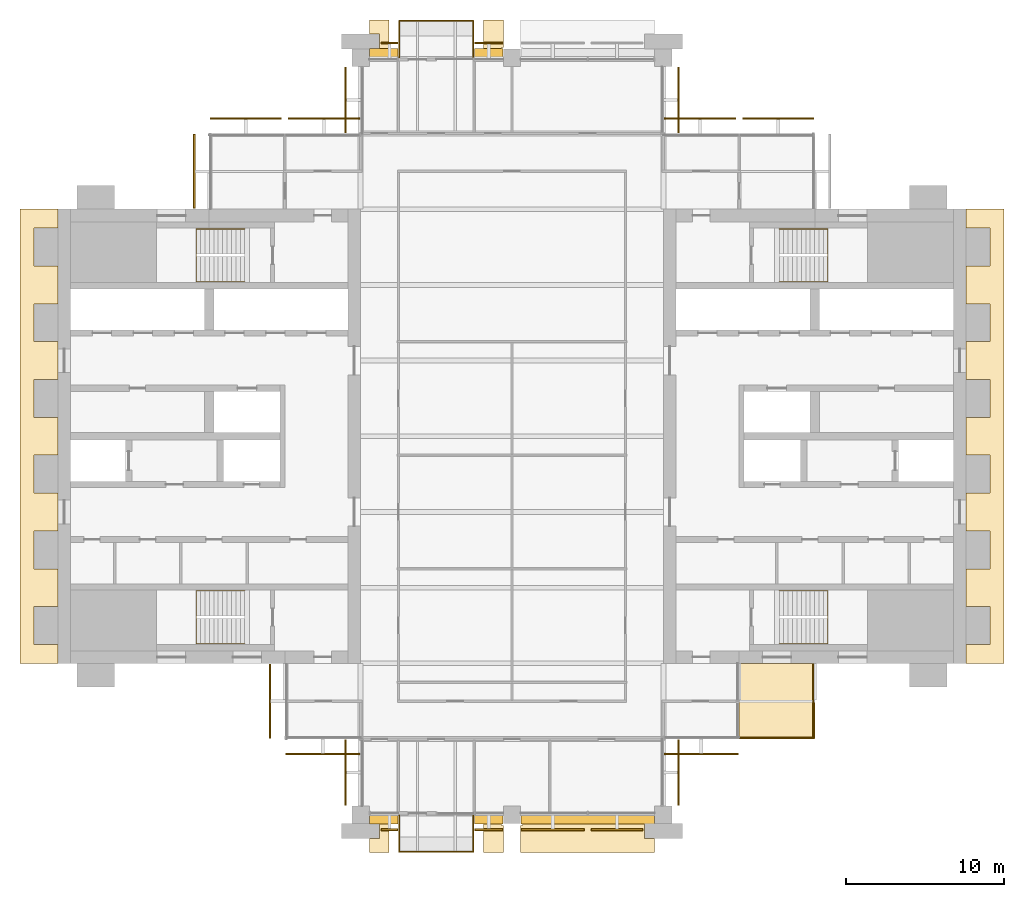
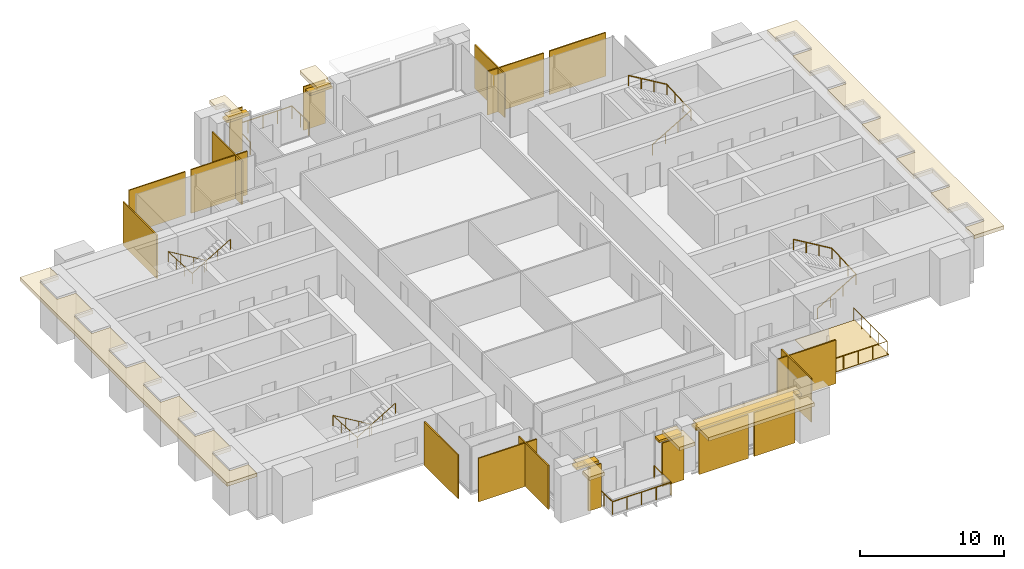
# One storey, part 13 of 14: 26 coverings, 7 railings, 5 shading devices.
"""IFC4 building model written with IfcOpenShell, lengths in metres."""

from ifc_helpers import new_model, si_unit, direction, frame, origin, origin_2d, place, context, subcontext, project, spatial, polyline, rectangle, circle, outline, extrude, material, layer, layer_set, type_object, element, save


model = new_model("IFC4")

# Units and contexts
model_context = context("Model", 3, precision=1e-05, world=origin(), true_north=direction((0.0, 1.0)))
body_context = subcontext(model_context, "Body", "Model", "MODEL_VIEW")
ifc_project = project(units=[si_unit("LENGTHUNIT", "METRE"), si_unit("AREAUNIT", "SQUARE_METRE"), si_unit("VOLUMEUNIT", "CUBIC_METRE"), si_unit("PLANEANGLEUNIT", "RADIAN"), si_unit("MASSUNIT", "GRAM", prefix="KILO")], contexts=[model_context])

# Site, building, storey
site_placement = place(None, origin())
site = spatial("IfcSite", under=ifc_project, at=site_placement, CompositionType="ELEMENT")
building_placement = place(site_placement, origin())
building = spatial("IfcBuilding", under=site, at=building_placement, Name="Baori Bourse Tower", CompositionType="ELEMENT")
storey_placement = place(building_placement, frame((0.0, 0.0, 233.199951171875)))
storey = spatial("IfcBuildingStorey", under=building, at=storey_placement, Name="L51", CompositionType="ELEMENT", Elevation=233.199951171875)

# Coverings
ifc_material_1 = material(Name="Pale anodised aluminium", Category="aluminium")
covering_type_1 = type_object("IfcCoveringType", Name="BD1 Pale metal band", PredefinedType="CLADDING", material=ifc_material_1)
covering_1_placement = place(storey_placement, frame((0.0, 0.0, 3.5400390625)))
element("IfcCovering", 1, at=covering_1_placement, inside=storey, type_object=covering_type_1, Name="Pale projecting band L51 1", PredefinedType="CLADDING", context=body_context, shape_type="SweptSolid", body=[
    extrude(outline(polyline([(57.60009765625, 10.800048828125), (57.60009765625, 9.60009765625), (60.0, 9.60009765625), (60.0, 38.39990234375), (57.60009765625, 38.39990234375), (57.60009765625, 37.199951171875), (59.10009765625, 37.199951171875), (59.10009765625, 34.800048828125), (57.60009765625, 34.800048828125), (57.60009765625, 32.39990234375), (59.10009765625, 32.39990234375), (59.10009765625, 30.0), (57.60009765625, 30.0), (57.60009765625, 27.60009765625), (59.10009765625, 27.60009765625), (59.10009765625, 25.199951171875), (57.60009765625, 25.199951171875), (57.60009765625, 22.800048828125), (59.10009765625, 22.800048828125), (59.10009765625, 20.39990234375), (57.60009765625, 20.39990234375), (57.60009765625, 18.0), (59.10009765625, 18.0), (59.10009765625, 15.60009765625), (57.60009765625, 15.60009765625), (57.60009765625, 13.199951171875), (59.10009765625, 13.199951171875), (59.10009765625, 10.800048828125), (57.60009765625, 10.800048828125)])), origin(), (0.0, 0.0, 1.0), 0.300048828125),
])
covering_2_placement = place(storey_placement, frame((0.0, 0.0, 3.5400390625)))
element("IfcCovering", 2, at=covering_2_placement, inside=storey, type_object=covering_type_1, Name="Pale projecting band L51 3", PredefinedType="CLADDING", context=body_context, shape_type="SweptSolid", body=[
    extrude(outline(polyline([(27.0, 48.0), (28.1298828125, 48.0), (28.1298828125, 48.669921875), (28.25, 48.669921875), (28.25, 50.39990234375), (27.0, 50.39990234375), (27.0, 48.0)])), origin(), (0.0, 0.0, 1.0), 0.300048828125),
])
covering_3_placement = place(storey_placement, frame((0.0, 0.0, 3.5400390625)))
element("IfcCovering", 3, at=covering_3_placement, inside=storey, type_object=covering_type_1, Name="Pale projecting band L51 4", PredefinedType="CLADDING", context=body_context, shape_type="SweptSolid", body=[
    extrude(outline(polyline([(19.8701171875, 48.0), (21.0, 48.0), (21.0, 50.39990234375), (19.75, 50.39990234375), (19.75, 49.5), (20.39990234375, 49.5), (20.39990234375, 48.550048828125), (19.8701171875, 48.550048828125), (19.8701171875, 48.0)])), origin(), (0.0, 0.0, 1.0), 0.300048828125),
])
covering_4_placement = place(storey_placement, frame((0.0, 0.0, 3.5400390625)))
element("IfcCovering", 4, at=covering_4_placement, inside=storey, type_object=covering_type_1, Name="Pale projecting band L51 5", PredefinedType="CLADDING", context=body_context, shape_type="SweptSolid", body=[
    extrude(outline(polyline([(0.0, 37.199951171875), (0.0, 38.39990234375), (-2.39990234375, 38.39990234375), (-2.39990234375, 9.60009765625), (0.0, 9.60009765625), (0.0, 10.800048828125), (-1.5, 10.800048828125), (-1.5, 13.199951171875), (0.0, 13.199951171875), (0.0, 15.60009765625), (-1.5, 15.60009765625), (-1.5, 18.0), (0.0, 18.0), (0.0, 20.39990234375), (-1.5, 20.39990234375), (-1.5, 22.800048828125), (0.0, 22.800048828125), (0.0, 25.199951171875), (-1.5, 25.199951171875), (-1.5, 27.60009765625), (0.0, 27.60009765625), (0.0, 30.0), (-1.5, 30.0), (-1.5, 32.39990234375), (0.0, 32.39990234375), (0.0, 34.800048828125), (-1.5, 34.800048828125), (-1.5, 37.199951171875), (0.0, 37.199951171875)])), origin(), (0.0, 0.0, 1.0), 0.300048828125),
])
covering_5_placement = place(storey_placement, frame((0.0, 0.0, 3.5400390625)))
element("IfcCovering", 5, at=covering_5_placement, inside=storey, type_object=covering_type_1, Name="Pale projecting band L51 6", PredefinedType="CLADDING", context=body_context, shape_type="SweptSolid", body=[
    extrude(outline(polyline([(21.0, 0.0), (19.8701171875, 0.0), (19.8701171875, -0.550048828125), (20.39990234375, -0.550048828125), (20.39990234375, -1.5), (19.75, -1.5), (19.75, -2.39990234375), (21.0, -2.39990234375), (21.0, 0.0)])), origin(), (0.0, 0.0, 1.0), 0.300048828125),
])
covering_6_placement = place(storey_placement, frame((0.0, 0.0, 3.5400390625)))
element("IfcCovering", 6, at=covering_6_placement, inside=storey, type_object=covering_type_1, Name="Pale projecting band L51 7", PredefinedType="CLADDING", context=body_context, shape_type="SweptSolid", body=[
    extrude(outline(polyline([(28.1298828125, 0.0), (27.0, 0.0), (27.0, -2.39990234375), (28.25, -2.39990234375), (28.25, -0.669921875), (28.1298828125, -0.669921875), (28.1298828125, 0.0)])), origin(), (0.0, 0.0, 1.0), 0.300048828125),
])
covering_7_placement = place(storey_placement, frame((0.0, 0.0, 3.5400390625)))
element("IfcCovering", 7, at=covering_7_placement, inside=storey, type_object=covering_type_1, Name="Pale projecting band L51 8", PredefinedType="CLADDING", context=body_context, shape_type="SweptSolid", body=[
    extrude(outline(polyline([(37.72998046875, 0.0), (29.469970703125, 0.0), (29.469970703125, -0.669921875), (29.35009765625, -0.669921875), (29.35009765625, -2.39990234375), (37.85009765625, -2.39990234375), (37.85009765625, -1.5), (37.199951171875, -1.5), (37.199951171875, -0.550048828125), (37.72998046875, -0.550048828125), (37.72998046875, 0.0)])), origin(), (0.0, 0.0, 1.0), 0.300048828125),
])

# Shading devices
ifc_material_2 = material(Name="Concrete f'c 40 MPa", Category="concrete")
ifc_layer_1 = layer(ifc_material_2, 0.199951171875)
ifc_layer_set_1 = layer_set([ifc_layer_1], Name="BS1 Brise-soleil ledge")
shading_device_type = type_object("IfcShadingDeviceType", Name="BS1 Brise-soleil ledge", PredefinedType="USERDEFINED", material=ifc_layer_set_1)
for number, where, z_axis, x_axis, name in (
    (8, (27.324951171875, 48.300048828125, 3.33984375), (0.0, 0.0, 1.0), (-1.0, 0.0, 0.0), "Brise-soleil ledge L51 2"),
    (9, (20.675048828125, 48.300048828125, 3.33984375), (0.0, 0.0, 1.0), (-1.0, 0.0, 0.0), "Brise-soleil ledge L51 3"),
    (10, (20.675048828125, -0.300048828125, 3.33984375), (0.0, 0.0, 1.0), (1.0, 0.0, 0.0), "Brise-soleil ledge L51 4"),
    (11, (27.324951171875, -0.300048828125, 3.33984375), (0.0, 0.0, 1.0), (1.0, 0.0, 0.0), "Brise-soleil ledge L51 5"),
):
    element("IfcShadingDevice", number, at=place(storey_placement, frame(where, z_axis=z_axis, x_axis=x_axis)), inside=storey, type_object=shading_device_type, Name=name, ObjectType="BRISE SOLEIL", PredefinedType="USERDEFINED", context=body_context, shape_type="SweptSolid", body=[
        extrude(rectangle(XDim=1.81005859375, YDim=0.60009765625, at=origin_2d()), origin(), (0.0, 0.0, 1.0), 0.199951171875),
    ])
shading_device_placement = place(storey_placement, frame((33.60009765625, -0.300048828125, 3.33984375), z_axis=(0.0, 0.0, 1.0), x_axis=(1.0, 0.0, 0.0)))
element("IfcShadingDevice", 12, at=shading_device_placement, inside=storey, type_object=shading_device_type, Name="Brise-soleil ledge L51 6", ObjectType="BRISE SOLEIL", PredefinedType="USERDEFINED", context=body_context, shape_type="SweptSolid", body=[
    extrude(rectangle(XDim=8.4599609375, YDim=0.60009765625, at=origin_2d()), origin(), (0.0, 0.0, 1.0), 0.199951171875),
])

# Railings
ifc_material_3 = material(Name="Powder-coated steel balustrade", Category="steel")
railing_type_1 = type_object("IfcRailingType", Name="Core stair handrail", PredefinedType="HANDRAIL", material=ifc_material_3)
railing_1_placement = place(storey_placement, frame((11.85009765625, 14.199951171875, 0.166748046875)))
element("IfcRailing", 13, at=railing_1_placement, inside=storey, type_object=railing_type_1, Name="L51 ST1 stair handrail 1", PredefinedType="HANDRAIL", context=body_context, shape_type="SweptSolid", body=[
    extrude(circle(Radius=0.02392578125, at=origin_2d()), frame((0.0, 0.0, 0.8759765625), z_axis=(-0.859308565015, 0.0, 0.511457515432), x_axis=(0.0, -1.0, 0.0)), (0.0, 0.0, 1.0), 3.58447265625),
    extrude(circle(Radius=0.02392578125, at=origin_2d()), frame((-3.080078125, 0.0, 2.708984375), z_axis=(0.0, -0.998763387249, 0.04971615724), x_axis=(1.0, 0.0, 0.0)), (0.0, 0.0, 1.0), 3.35400390625),
    extrude(circle(Radius=0.02392578125, at=origin_2d()), frame((-3.080078125, -3.349853515625, 2.8759765625), z_axis=(0.859308565015, 0.0, 0.511457515432), x_axis=(0.0, 1.0, 0.0)), (0.0, 0.0, 1.0), 3.58447265625),
    extrude(circle(Radius=0.02099609375, at=origin_2d()), origin(), (0.0, 0.0, 1.0), 0.851806640625),
    extrude(circle(Radius=0.02099609375, at=origin_2d()), frame((-1.026611328125, 0.0, 0.611083984375)), (0.0, 0.0, 1.0), 0.851806640625),
    extrude(circle(Radius=0.02099609375, at=origin_2d()), frame((-2.053466796875, 0.0, 1.22216796875)), (0.0, 0.0, 1.0), 0.851806640625),
    extrude(circle(Radius=0.02099609375, at=origin_2d()), frame((-3.080078125, 0.0, 1.833251953125)), (0.0, 0.0, 1.0), 0.851806640625),
    extrude(circle(Radius=0.02099609375, at=origin_2d()), frame((-3.080078125, -1.11669921875, 1.888916015625)), (0.0, 0.0, 1.0), 0.851806640625),
    extrude(circle(Radius=0.02099609375, at=origin_2d()), frame((-3.080078125, -2.233154296875, 1.9443359375)), (0.0, 0.0, 1.0), 0.851806640625),
    extrude(circle(Radius=0.02099609375, at=origin_2d()), frame((-3.080078125, -3.349853515625, 2.0)), (0.0, 0.0, 1.0), 0.851806640625),
    extrude(circle(Radius=0.02099609375, at=origin_2d()), frame((-2.053466796875, -3.349853515625, 2.611083984375)), (0.0, 0.0, 1.0), 0.851806640625),
    extrude(circle(Radius=0.02099609375, at=origin_2d()), frame((-1.026611328125, -3.349853515625, 3.22216796875)), (0.0, 0.0, 1.0), 0.851806640625),
    extrude(circle(Radius=0.02099609375, at=origin_2d()), frame((0.0, -3.349853515625, 3.833251953125)), (0.0, 0.0, 1.0), 0.851806640625),
])
railing_2_placement = place(storey_placement, frame((11.85009765625, 37.14990234375, 0.166748046875)))
element("IfcRailing", 14, at=railing_2_placement, inside=storey, type_object=railing_type_1, Name="L51 ST2 stair handrail 1", PredefinedType="HANDRAIL", context=body_context, shape_type="SweptSolid", body=[
    extrude(circle(Radius=0.02392578125, at=origin_2d()), frame((0.0, 0.0, 0.8759765625), z_axis=(-0.859308565015, 0.0, 0.511457515432), x_axis=(0.0, -1.0, 0.0)), (0.0, 0.0, 1.0), 3.58447265625),
    extrude(circle(Radius=0.02392578125, at=origin_2d()), frame((-3.080078125, 0.0, 2.708984375), z_axis=(0.0, -0.998763387249, 0.04971615724), x_axis=(1.0, 0.0, 0.0)), (0.0, 0.0, 1.0), 3.35400390625),
    extrude(circle(Radius=0.02392578125, at=origin_2d()), frame((-3.080078125, -3.349853515625, 2.8759765625), z_axis=(0.859308565015, 0.0, 0.511457515432), x_axis=(0.0, 1.0, 0.0)), (0.0, 0.0, 1.0), 3.58447265625),
    extrude(circle(Radius=0.02099609375, at=origin_2d()), origin(), (0.0, 0.0, 1.0), 0.851806640625),
    extrude(circle(Radius=0.02099609375, at=origin_2d()), frame((-1.026611328125, 0.0, 0.611083984375)), (0.0, 0.0, 1.0), 0.851806640625),
    extrude(circle(Radius=0.02099609375, at=origin_2d()), frame((-2.053466796875, 0.0, 1.22216796875)), (0.0, 0.0, 1.0), 0.851806640625),
    extrude(circle(Radius=0.02099609375, at=origin_2d()), frame((-3.080078125, 0.0, 1.833251953125)), (0.0, 0.0, 1.0), 0.851806640625),
    extrude(circle(Radius=0.02099609375, at=origin_2d()), frame((-3.080078125, -1.11669921875, 1.888916015625)), (0.0, 0.0, 1.0), 0.851806640625),
    extrude(circle(Radius=0.02099609375, at=origin_2d()), frame((-3.080078125, -2.233154296875, 1.9443359375)), (0.0, 0.0, 1.0), 0.851806640625),
    extrude(circle(Radius=0.02099609375, at=origin_2d()), frame((-3.080078125, -3.349853515625, 2.0)), (0.0, 0.0, 1.0), 0.851806640625),
    extrude(circle(Radius=0.02099609375, at=origin_2d()), frame((-2.053466796875, -3.349853515625, 2.611083984375)), (0.0, 0.0, 1.0), 0.851806640625),
    extrude(circle(Radius=0.02099609375, at=origin_2d()), frame((-1.026611328125, -3.349853515625, 3.22216796875)), (0.0, 0.0, 1.0), 0.851806640625),
    extrude(circle(Radius=0.02099609375, at=origin_2d()), frame((0.0, -3.349853515625, 3.833251953125)), (0.0, 0.0, 1.0), 0.851806640625),
])
railing_3_placement = place(storey_placement, frame((45.75, 10.85009765625, 0.166748046875)))
element("IfcRailing", 15, at=railing_3_placement, inside=storey, type_object=railing_type_1, Name="L51 ST3 stair handrail 1", PredefinedType="HANDRAIL", context=body_context, shape_type="SweptSolid", body=[
    extrude(circle(Radius=0.02392578125, at=origin_2d()), frame((0.0, 0.0, 0.8759765625), z_axis=(0.859308565015, 0.0, 0.511457515432), x_axis=(0.0, 1.0, 0.0)), (0.0, 0.0, 1.0), 3.58447265625),
    extrude(circle(Radius=0.02392578125, at=origin_2d()), frame((3.080078125, 0.0, 2.708984375), z_axis=(0.0, 0.998763387249, 0.04971615724), x_axis=(-1.0, 0.0, 0.0)), (0.0, 0.0, 1.0), 3.35400390625),
    extrude(circle(Radius=0.02392578125, at=origin_2d()), frame((3.080078125, 3.349853515625, 2.8759765625), z_axis=(-0.859308565015, 0.0, 0.511457515432), x_axis=(0.0, -1.0, 0.0)), (0.0, 0.0, 1.0), 3.58447265625),
    extrude(circle(Radius=0.02099609375, at=origin_2d()), origin(), (0.0, 0.0, 1.0), 0.851806640625),
    extrude(circle(Radius=0.02099609375, at=origin_2d()), frame((1.026611328125, 0.0, 0.611083984375)), (0.0, 0.0, 1.0), 0.851806640625),
    extrude(circle(Radius=0.02099609375, at=origin_2d()), frame((2.053466796875, 0.0, 1.22216796875)), (0.0, 0.0, 1.0), 0.851806640625),
    extrude(circle(Radius=0.02099609375, at=origin_2d()), frame((3.080078125, 0.0, 1.833251953125)), (0.0, 0.0, 1.0), 0.851806640625),
    extrude(circle(Radius=0.02099609375, at=origin_2d()), frame((3.080078125, 1.11669921875, 1.888916015625)), (0.0, 0.0, 1.0), 0.851806640625),
    extrude(circle(Radius=0.02099609375, at=origin_2d()), frame((3.080078125, 2.233154296875, 1.9443359375)), (0.0, 0.0, 1.0), 0.851806640625),
    extrude(circle(Radius=0.02099609375, at=origin_2d()), frame((3.080078125, 3.349853515625, 2.0)), (0.0, 0.0, 1.0), 0.851806640625),
    extrude(circle(Radius=0.02099609375, at=origin_2d()), frame((2.053466796875, 3.349853515625, 2.611083984375)), (0.0, 0.0, 1.0), 0.851806640625),
    extrude(circle(Radius=0.02099609375, at=origin_2d()), frame((1.026611328125, 3.349853515625, 3.22216796875)), (0.0, 0.0, 1.0), 0.851806640625),
    extrude(circle(Radius=0.02099609375, at=origin_2d()), frame((0.0, 3.349853515625, 3.833251953125)), (0.0, 0.0, 1.0), 0.851806640625),
])
railing_4_placement = place(storey_placement, frame((45.75, 33.800048828125, 0.166748046875)))
element("IfcRailing", 16, at=railing_4_placement, inside=storey, type_object=railing_type_1, Name="L51 ST4 stair handrail 1", PredefinedType="HANDRAIL", context=body_context, shape_type="SweptSolid", body=[
    extrude(circle(Radius=0.02392578125, at=origin_2d()), frame((0.0, 0.0, 0.8759765625), z_axis=(0.859308565015, 0.0, 0.511457515432), x_axis=(0.0, 1.0, 0.0)), (0.0, 0.0, 1.0), 3.58447265625),
    extrude(circle(Radius=0.02392578125, at=origin_2d()), frame((3.080078125, 0.0, 2.708984375), z_axis=(0.0, 0.998763387249, 0.04971615724), x_axis=(-1.0, 0.0, 0.0)), (0.0, 0.0, 1.0), 3.35400390625),
    extrude(circle(Radius=0.02392578125, at=origin_2d()), frame((3.080078125, 3.349853515625, 2.8759765625), z_axis=(-0.859308565015, 0.0, 0.511457515432), x_axis=(0.0, -1.0, 0.0)), (0.0, 0.0, 1.0), 3.58447265625),
    extrude(circle(Radius=0.02099609375, at=origin_2d()), origin(), (0.0, 0.0, 1.0), 0.851806640625),
    extrude(circle(Radius=0.02099609375, at=origin_2d()), frame((1.026611328125, 0.0, 0.611083984375)), (0.0, 0.0, 1.0), 0.851806640625),
    extrude(circle(Radius=0.02099609375, at=origin_2d()), frame((2.053466796875, 0.0, 1.22216796875)), (0.0, 0.0, 1.0), 0.851806640625),
    extrude(circle(Radius=0.02099609375, at=origin_2d()), frame((3.080078125, 0.0, 1.833251953125)), (0.0, 0.0, 1.0), 0.851806640625),
    extrude(circle(Radius=0.02099609375, at=origin_2d()), frame((3.080078125, 1.11669921875, 1.888916015625)), (0.0, 0.0, 1.0), 0.851806640625),
    extrude(circle(Radius=0.02099609375, at=origin_2d()), frame((3.080078125, 2.233154296875, 1.9443359375)), (0.0, 0.0, 1.0), 0.851806640625),
    extrude(circle(Radius=0.02099609375, at=origin_2d()), frame((3.080078125, 3.349853515625, 2.0)), (0.0, 0.0, 1.0), 0.851806640625),
    extrude(circle(Radius=0.02099609375, at=origin_2d()), frame((2.053466796875, 3.349853515625, 2.611083984375)), (0.0, 0.0, 1.0), 0.851806640625),
    extrude(circle(Radius=0.02099609375, at=origin_2d()), frame((1.026611328125, 3.349853515625, 3.22216796875)), (0.0, 0.0, 1.0), 0.851806640625),
    extrude(circle(Radius=0.02099609375, at=origin_2d()), frame((0.0, 3.349853515625, 3.833251953125)), (0.0, 0.0, 1.0), 0.851806640625),
])
ifc_material_4 = material(Name="Stainless steel", Category="steel")
railing_type_2 = type_object("IfcRailingType", Name="GD1 Guard", PredefinedType="GUARDRAIL", material=ifc_material_4)
railing_5_placement = place(storey_placement, frame((47.89990234375, 9.570068359375, 0.0400390625)))
element("IfcRailing", 17, at=railing_5_placement, inside=storey, type_object=railing_type_2, Name="Guard terrace SE L51 1", PredefinedType="GUARDRAIL", context=body_context, shape_type="SweptSolid", body=[
    extrude(circle(Radius=0.02392578125, at=origin_2d()), frame((0.0, 0.0, 1.076171875), z_axis=(0.0, -1.0, 0.0), x_axis=(1.0, 0.0, 0.0)), (0.0, 0.0, 1.0), 4.670166015625),
    extrude(circle(Radius=0.02392578125, at=origin_2d()), frame((0.0, -4.670166015625, 1.076171875), z_axis=(-1.0, 0.0, 0.0), x_axis=(0.0, -1.0, 0.0)), (0.0, 0.0, 1.0), 4.669921875),
    extrude(circle(Radius=0.02099609375, at=origin_2d()), origin(), (0.0, 0.0, 1.0), 1.052001953125),
    extrude(circle(Radius=0.02099609375, at=origin_2d()), frame((0.0, -1.16748046875, 0.0)), (0.0, 0.0, 1.0), 1.052001953125),
    extrude(circle(Radius=0.02099609375, at=origin_2d()), frame((0.0, -2.3349609375, 0.0)), (0.0, 0.0, 1.0), 1.052001953125),
    extrude(circle(Radius=0.02099609375, at=origin_2d()), frame((0.0, -3.502685546875, 0.0)), (0.0, 0.0, 1.0), 1.052001953125),
    extrude(circle(Radius=0.02099609375, at=origin_2d()), frame((0.0, -4.670166015625, 0.0)), (0.0, 0.0, 1.0), 1.052001953125),
    extrude(circle(Radius=0.02099609375, at=origin_2d()), frame((-1.16748046875, -4.670166015625, 0.0)), (0.0, 0.0, 1.0), 1.052001953125),
    extrude(circle(Radius=0.02099609375, at=origin_2d()), frame((-2.3349609375, -4.670166015625, 0.0)), (0.0, 0.0, 1.0), 1.052001953125),
    extrude(circle(Radius=0.02099609375, at=origin_2d()), frame((-3.50244140625, -4.670166015625, 0.0)), (0.0, 0.0, 1.0), 1.052001953125),
    extrude(circle(Radius=0.02099609375, at=origin_2d()), frame((-4.669921875, -4.670166015625, 0.0)), (0.0, 0.0, 1.0), 1.052001953125),
])
railing_6_placement = place(storey_placement, frame((21.64990234375, -0.030029296875, 0.0)))
element("IfcRailing", 18, at=railing_6_placement, inside=storey, type_object=railing_type_2, Name="Guard balcony S L51 2", PredefinedType="GUARDRAIL", context=body_context, shape_type="SweptSolid", body=[
    extrude(circle(Radius=0.02392578125, at=origin_2d()), frame((0.0, 0.0, 1.076171875), z_axis=(0.0, -1.0, 0.0), x_axis=(1.0, 0.0, 0.0)), (0.0, 0.0, 1.0), 2.320068359375),
    extrude(circle(Radius=0.02392578125, at=origin_2d()), frame((0.0, -2.320068359375, 1.076171875), z_axis=(1.0, 0.0, 0.0), x_axis=(0.0, 1.0, 0.0)), (0.0, 0.0, 1.0), 4.7001953125),
    extrude(circle(Radius=0.02392578125, at=origin_2d()), frame((4.7001953125, -2.320068359375, 1.076171875), z_axis=(0.0, 1.0, 0.0), x_axis=(-1.0, 0.0, 0.0)), (0.0, 0.0, 1.0), 2.320068359375),
    extrude(circle(Radius=0.02099609375, at=origin_2d()), origin(), (0.0, 0.0, 1.0), 1.052001953125),
    extrude(circle(Radius=0.02099609375, at=origin_2d()), frame((0.0, -1.16015625, 0.0)), (0.0, 0.0, 1.0), 1.052001953125),
    extrude(circle(Radius=0.02099609375, at=origin_2d()), frame((0.0, -2.320068359375, 0.0)), (0.0, 0.0, 1.0), 1.052001953125),
    extrude(circle(Radius=0.02099609375, at=origin_2d()), frame((1.175048828125, -2.320068359375, 0.0)), (0.0, 0.0, 1.0), 1.052001953125),
    extrude(circle(Radius=0.02099609375, at=origin_2d()), frame((2.35009765625, -2.320068359375, 0.0)), (0.0, 0.0, 1.0), 1.052001953125),
    extrude(circle(Radius=0.02099609375, at=origin_2d()), frame((3.525146484375, -2.320068359375, 0.0)), (0.0, 0.0, 1.0), 1.052001953125),
    extrude(circle(Radius=0.02099609375, at=origin_2d()), frame((4.7001953125, -2.320068359375, 0.0)), (0.0, 0.0, 1.0), 1.052001953125),
    extrude(circle(Radius=0.02099609375, at=origin_2d()), frame((4.7001953125, -1.16015625, 0.0)), (0.0, 0.0, 1.0), 1.052001953125),
    extrude(circle(Radius=0.02099609375, at=origin_2d()), frame((4.7001953125, 0.0, 0.0)), (0.0, 0.0, 1.0), 1.052001953125),
])
railing_7_placement = place(storey_placement, frame((21.64990234375, 48.030029296875, 0.0)))
element("IfcRailing", 19, at=railing_7_placement, inside=storey, type_object=railing_type_2, Name="Guard balcony N L51 3", PredefinedType="GUARDRAIL", context=body_context, shape_type="SweptSolid", body=[
    extrude(circle(Radius=0.02392578125, at=origin_2d()), frame((0.0, 0.0, 1.076171875), z_axis=(0.0, 1.0, 0.0), x_axis=(-1.0, 0.0, 0.0)), (0.0, 0.0, 1.0), 2.320068359375),
    extrude(circle(Radius=0.02392578125, at=origin_2d()), frame((0.0, 2.320068359375, 1.076171875), z_axis=(1.0, 0.0, 0.0), x_axis=(0.0, 1.0, 0.0)), (0.0, 0.0, 1.0), 4.7001953125),
    extrude(circle(Radius=0.02392578125, at=origin_2d()), frame((4.7001953125, 2.320068359375, 1.076171875), z_axis=(0.0, -1.0, 0.0), x_axis=(1.0, 0.0, 0.0)), (0.0, 0.0, 1.0), 2.320068359375),
    extrude(circle(Radius=0.02099609375, at=origin_2d()), origin(), (0.0, 0.0, 1.0), 1.052001953125),
    extrude(circle(Radius=0.02099609375, at=origin_2d()), frame((0.0, 1.16015625, 0.0)), (0.0, 0.0, 1.0), 1.052001953125),
    extrude(circle(Radius=0.02099609375, at=origin_2d()), frame((0.0, 2.320068359375, 0.0)), (0.0, 0.0, 1.0), 1.052001953125),
    extrude(circle(Radius=0.02099609375, at=origin_2d()), frame((1.175048828125, 2.320068359375, 0.0)), (0.0, 0.0, 1.0), 1.052001953125),
    extrude(circle(Radius=0.02099609375, at=origin_2d()), frame((2.35009765625, 2.320068359375, 0.0)), (0.0, 0.0, 1.0), 1.052001953125),
    extrude(circle(Radius=0.02099609375, at=origin_2d()), frame((3.525146484375, 2.320068359375, 0.0)), (0.0, 0.0, 1.0), 1.052001953125),
    extrude(circle(Radius=0.02099609375, at=origin_2d()), frame((4.7001953125, 2.320068359375, 0.0)), (0.0, 0.0, 1.0), 1.052001953125),
    extrude(circle(Radius=0.02099609375, at=origin_2d()), frame((4.7001953125, 1.16015625, 0.0)), (0.0, 0.0, 1.0), 1.052001953125),
    extrude(circle(Radius=0.02099609375, at=origin_2d()), frame((4.7001953125, 0.0, 0.0)), (0.0, 0.0, 1.0), 1.052001953125),
])

# Coverings
ifc_material_5 = material(Name="Pale anodised aluminium", Category="aluminium")
ifc_layer_2 = layer(ifc_material_5, 0.10009765625)
ifc_layer_set_2 = layer_set([ifc_layer_2], Name="OS3 Outer skin screen panel")
covering_type_2 = type_object("IfcCoveringType", Name="OS3 Outer skin screen panel", PredefinedType="CLADDING", material=ifc_layer_set_2)
covering_8_placement = place(storey_placement, frame((0.0, 0.0, -0.159912109375)))
element("IfcCovering", 20, at=covering_8_placement, inside=storey, type_object=covering_type_2, Name="Outer skin screen L51 2", PredefinedType="CLADDING", context=body_context, shape_type="SweptSolid", body=[
    extrude(outline(polyline([(43.425048828125, 44.10009765625), (47.949951171875, 44.10009765625), (47.949951171875, 44.199951171875), (43.425048828125, 44.199951171875), (43.425048828125, 44.10009765625)])), origin(), (0.0, 0.0, 1.0), 3.699951171875),
])
covering_9_placement = place(storey_placement, frame((0.0, 0.0, -0.159912109375)))
element("IfcCovering", 21, at=covering_9_placement, inside=storey, type_object=covering_type_2, Name="Outer skin screen L51 3", PredefinedType="CLADDING", context=body_context, shape_type="SweptSolid", body=[
    extrude(outline(polyline([(38.449951171875, 44.10009765625), (42.97509765625, 44.10009765625), (42.97509765625, 44.199951171875), (38.449951171875, 44.199951171875), (38.449951171875, 44.10009765625)])), origin(), (0.0, 0.0, 1.0), 3.699951171875),
])
covering_10_placement = place(storey_placement, frame((0.0, 0.0, -0.159912109375)))
element("IfcCovering", 22, at=covering_10_placement, inside=storey, type_object=covering_type_2, Name="Outer skin screen L51 4", PredefinedType="CLADDING", context=body_context, shape_type="SweptSolid", body=[
    extrude(outline(polyline([(39.300048828125, 47.39990234375), (39.300048828125, 43.25), (39.39990234375, 43.25), (39.39990234375, 47.39990234375), (39.300048828125, 47.39990234375)])), origin(), (0.0, 0.0, 1.0), 3.699951171875),
])
covering_11_placement = place(storey_placement, frame((0.0, 0.0, -0.159912109375)))
element("IfcCovering", 23, at=covering_11_placement, inside=storey, type_object=covering_type_2, Name="Outer skin screen L51 7", PredefinedType="CLADDING", context=body_context, shape_type="SweptSolid", body=[
    extrude(outline(polyline([(26.449951171875, 48.89990234375), (28.199951171875, 48.89990234375), (28.199951171875, 49.0), (26.449951171875, 49.0), (26.449951171875, 48.89990234375)])), origin(), (0.0, 0.0, 1.0), 3.699951171875),
])
covering_12_placement = place(storey_placement, frame((0.0, 0.0, -0.159912109375)))
element("IfcCovering", 24, at=covering_12_placement, inside=storey, type_object=covering_type_2, Name="Outer skin screen L51 8", PredefinedType="CLADDING", context=body_context, shape_type="SweptSolid", body=[
    extrude(outline(polyline([(20.5, 48.89990234375), (21.550048828125, 48.89990234375), (21.550048828125, 49.0), (20.5, 49.0), (20.5, 48.89990234375)])), origin(), (0.0, 0.0, 1.0), 3.699951171875),
])
covering_13_placement = place(storey_placement, frame((0.0, 0.0, -0.159912109375)))
element("IfcCovering", 25, at=covering_13_placement, inside=storey, type_object=covering_type_2, Name="Outer skin screen L51 9", PredefinedType="CLADDING", context=body_context, shape_type="SweptSolid", body=[
    extrude(outline(polyline([(18.300048828125, 43.25), (18.300048828125, 47.39990234375), (18.199951171875, 47.39990234375), (18.199951171875, 43.25), (18.300048828125, 43.25)])), origin(), (0.0, 0.0, 1.0), 3.699951171875),
])
covering_14_placement = place(storey_placement, frame((0.0, 0.0, -0.159912109375)))
element("IfcCovering", 26, at=covering_14_placement, inside=storey, type_object=covering_type_2, Name="Outer skin screen L51 10", PredefinedType="CLADDING", context=body_context, shape_type="SweptSolid", body=[
    extrude(outline(polyline([(14.625, 44.10009765625), (19.14990234375, 44.10009765625), (19.14990234375, 44.199951171875), (14.625, 44.199951171875), (14.625, 44.10009765625)])), origin(), (0.0, 0.0, 1.0), 3.699951171875),
])
covering_15_placement = place(storey_placement, frame((0.0, 0.0, -0.159912109375)))
element("IfcCovering", 27, at=covering_15_placement, inside=storey, type_object=covering_type_2, Name="Outer skin screen L51 11", PredefinedType="CLADDING", context=body_context, shape_type="SweptSolid", body=[
    extrude(outline(polyline([(9.64990234375, 44.10009765625), (14.175048828125, 44.10009765625), (14.175048828125, 44.199951171875), (9.64990234375, 44.199951171875), (9.64990234375, 44.10009765625)])), origin(), (0.0, 0.0, 1.0), 3.699951171875),
])
covering_16_placement = place(storey_placement, frame((0.0, 0.0, -0.159912109375)))
element("IfcCovering", 28, at=covering_16_placement, inside=storey, type_object=covering_type_2, Name="Outer skin screen L51 12", PredefinedType="CLADDING", context=body_context, shape_type="SweptSolid", body=[
    extrude(outline(polyline([(8.699951171875, 38.449951171875), (8.699951171875, 43.14990234375), (8.60009765625, 43.14990234375), (8.60009765625, 38.449951171875), (8.699951171875, 38.449951171875)])), origin(), (0.0, 0.0, 1.0), 3.699951171875),
])
covering_17_placement = place(storey_placement, frame((0.0, 0.0, -0.159912109375)))
element("IfcCovering", 29, at=covering_17_placement, inside=storey, type_object=covering_type_2, Name="Outer skin screen L51 13", PredefinedType="CLADDING", context=body_context, shape_type="SweptSolid", body=[
    extrude(outline(polyline([(13.5, 4.85009765625), (13.5, 9.550048828125), (13.39990234375, 9.550048828125), (13.39990234375, 4.85009765625), (13.5, 4.85009765625)])), origin(), (0.0, 0.0, 1.0), 3.699951171875),
])
covering_18_placement = place(storey_placement, frame((0.0, 0.0, -0.159912109375)))
element("IfcCovering", 30, at=covering_18_placement, inside=storey, type_object=covering_type_2, Name="Outer skin screen L51 14", PredefinedType="CLADDING", context=body_context, shape_type="SweptSolid", body=[
    extrude(outline(polyline([(19.14990234375, 3.89990234375), (14.449951171875, 3.89990234375), (14.449951171875, 3.800048828125), (19.14990234375, 3.800048828125), (19.14990234375, 3.89990234375)])), origin(), (0.0, 0.0, 1.0), 3.699951171875),
])
covering_19_placement = place(storey_placement, frame((0.0, 0.0, -0.159912109375)))
element("IfcCovering", 31, at=covering_19_placement, inside=storey, type_object=covering_type_2, Name="Outer skin screen L51 15", PredefinedType="CLADDING", context=body_context, shape_type="SweptSolid", body=[
    extrude(outline(polyline([(18.300048828125, 0.60009765625), (18.300048828125, 4.75), (18.199951171875, 4.75), (18.199951171875, 0.60009765625), (18.300048828125, 0.60009765625)])), origin(), (0.0, 0.0, 1.0), 3.699951171875),
])
covering_20_placement = place(storey_placement, frame((0.0, 0.0, -0.159912109375)))
element("IfcCovering", 32, at=covering_20_placement, inside=storey, type_object=covering_type_2, Name="Outer skin screen L51 16", PredefinedType="CLADDING", context=body_context, shape_type="SweptSolid", body=[
    extrude(outline(polyline([(21.550048828125, -0.89990234375), (20.5, -0.89990234375), (20.5, -1.0), (21.550048828125, -1.0), (21.550048828125, -0.89990234375)])), origin(), (0.0, 0.0, 1.0), 3.699951171875),
])
covering_21_placement = place(storey_placement, frame((0.0, 0.0, -0.159912109375)))
element("IfcCovering", 33, at=covering_21_placement, inside=storey, type_object=covering_type_2, Name="Outer skin screen L51 17", PredefinedType="CLADDING", context=body_context, shape_type="SweptSolid", body=[
    extrude(outline(polyline([(28.199951171875, -0.89990234375), (26.449951171875, -0.89990234375), (26.449951171875, -1.0), (28.199951171875, -1.0), (28.199951171875, -0.89990234375)])), origin(), (0.0, 0.0, 1.0), 3.699951171875),
])
covering_22_placement = place(storey_placement, frame((0.0, 0.0, -0.159912109375)))
element("IfcCovering", 34, at=covering_22_placement, inside=storey, type_object=covering_type_2, Name="Outer skin screen L51 18", PredefinedType="CLADDING", context=body_context, shape_type="SweptSolid", body=[
    extrude(outline(polyline([(33.375, -0.89990234375), (29.39990234375, -0.89990234375), (29.39990234375, -1.0), (33.375, -1.0), (33.375, -0.89990234375)])), origin(), (0.0, 0.0, 1.0), 3.699951171875),
])
covering_23_placement = place(storey_placement, frame((0.0, 0.0, -0.159912109375)))
element("IfcCovering", 35, at=covering_23_placement, inside=storey, type_object=covering_type_2, Name="Outer skin screen L51 19", PredefinedType="CLADDING", context=body_context, shape_type="SweptSolid", body=[
    extrude(outline(polyline([(37.10009765625, -0.89990234375), (33.824951171875, -0.89990234375), (33.824951171875, -1.0), (37.10009765625, -1.0), (37.10009765625, -0.89990234375)])), origin(), (0.0, 0.0, 1.0), 3.699951171875),
])
covering_24_placement = place(storey_placement, frame((0.0, 0.0, -0.159912109375)))
element("IfcCovering", 36, at=covering_24_placement, inside=storey, type_object=covering_type_2, Name="Outer skin screen L51 20", PredefinedType="CLADDING", context=body_context, shape_type="SweptSolid", body=[
    extrude(outline(polyline([(39.300048828125, 4.75), (39.300048828125, 0.60009765625), (39.39990234375, 0.60009765625), (39.39990234375, 4.75), (39.300048828125, 4.75)])), origin(), (0.0, 0.0, 1.0), 3.699951171875),
])
covering_25_placement = place(storey_placement, frame((0.0, 0.0, -0.159912109375)))
element("IfcCovering", 37, at=covering_25_placement, inside=storey, type_object=covering_type_2, Name="Outer skin screen L51 21", PredefinedType="CLADDING", context=body_context, shape_type="SweptSolid", body=[
    extrude(outline(polyline([(43.14990234375, 3.89990234375), (38.449951171875, 3.89990234375), (38.449951171875, 3.800048828125), (43.14990234375, 3.800048828125), (43.14990234375, 3.89990234375)])), origin(), (0.0, 0.0, 1.0), 3.699951171875),
])
ifc_material_6 = material(Name="Granite paving", Category="masonry")
ifc_layer_3 = layer(ifc_material_6, 0.0400390625)
ifc_layer_set_3 = layer_set([ifc_layer_3], Name="PV1 Deck paving")
covering_type_3 = type_object("IfcCoveringType", Name="PV1 Deck paving", PredefinedType="FLOORING", material=ifc_layer_set_3)
covering_26_placement = place(storey_placement, origin())
element("IfcCovering", 38, at=covering_26_placement, inside=storey, type_object=covering_type_3, Name="Terrace paving L51 1", PredefinedType="FLOORING", context=body_context, shape_type="SweptSolid", body=[
    extrude(outline(polyline([(43.199951171875, 9.60009765625), (43.199951171875, 4.800048828125), (48.0, 4.800048828125), (48.0, 9.60009765625), (43.199951171875, 9.60009765625)])), origin(), (0.0, 0.0, 1.0), 0.0400390625),
])

save(model, "model.ifc")
